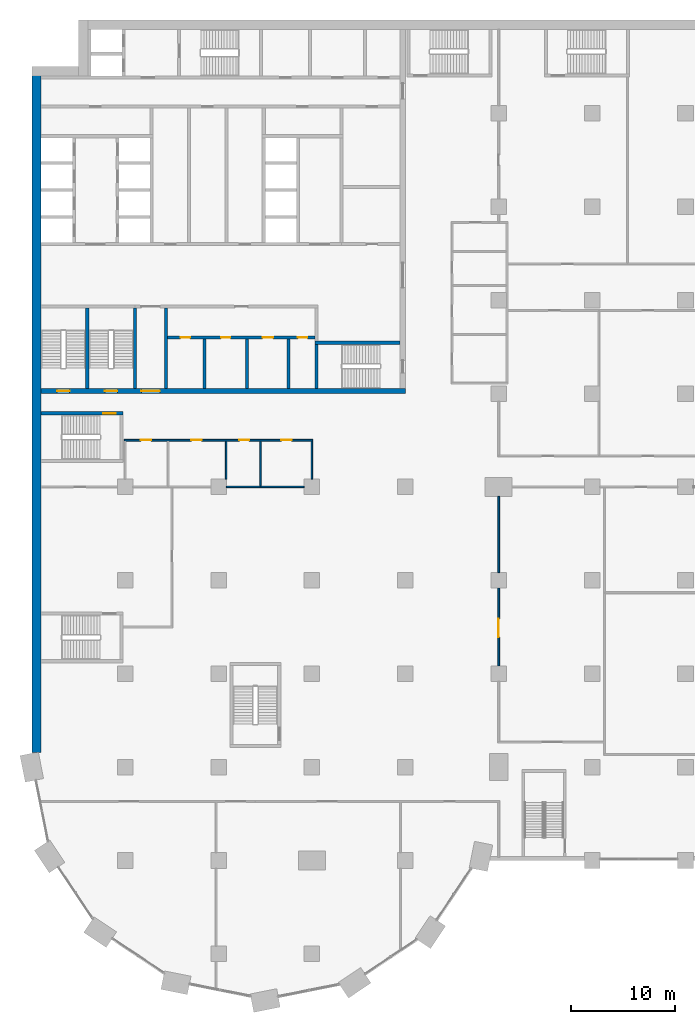
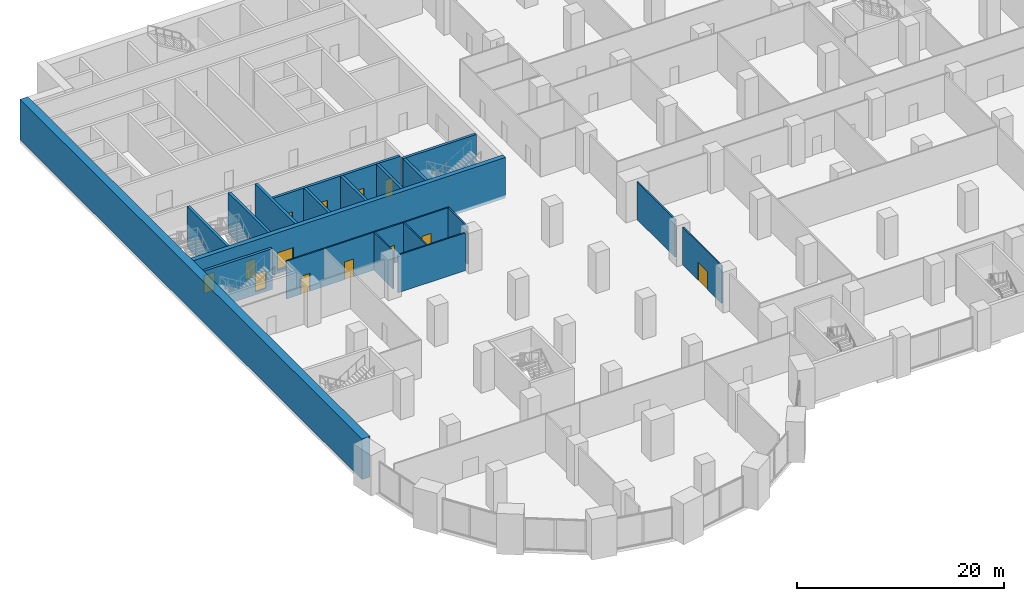
# One storey, part 13 of 31: 19 walls, 13 doors, 13 openings.
"""IFC4 building model written with IfcOpenShell, lengths in metres."""

from ifc_helpers import new_model, si_unit, direction, frame, frame_2d, origin, place, context, subcontext, project, spatial, rectangle, extrude, material, layer, layer_set, type_object, element, fill, save


model = new_model("IFC4")

# Units and contexts
model_context = context("Model", 3, precision=1e-05, world=origin(), true_north=direction((0.0, 1.0)))
body_context = subcontext(model_context, "Body", "Model", "MODEL_VIEW")
ifc_project = project(units=[si_unit("LENGTHUNIT", "METRE"), si_unit("AREAUNIT", "SQUARE_METRE"), si_unit("VOLUMEUNIT", "CUBIC_METRE"), si_unit("PLANEANGLEUNIT", "RADIAN"), si_unit("MASSUNIT", "GRAM", prefix="KILO")], contexts=[model_context])

# Site, building, storey
site_placement = place(None, origin())
site = spatial("IfcSite", under=ifc_project, at=site_placement, CompositionType="ELEMENT")
building_placement = place(site_placement, origin())
building = spatial("IfcBuilding", under=site, at=building_placement, Name="Hunhe Ridgeline Campus", CompositionType="ELEMENT")
storey_placement = place(building_placement, frame((0.0, 0.0, 16.800048828125)))
storey = spatial("IfcBuildingStorey", under=building, at=storey_placement, Name="L03", CompositionType="ELEMENT", Elevation=16.800048828125)

# Wall, opening, door
ifc_material_1 = material(Name="Plastered blockwork", Category="masonry")
ifc_layer_1 = layer(ifc_material_1, 0.14990234375)
ifc_layer_set_1 = layer_set([ifc_layer_1], Name="Blockwork partition 150")
wall_type_1 = type_object("IfcWallType", Name="Blockwork partition 150", PredefinedType="PARTITIONING", material=ifc_layer_set_1)
wall_1_placement = place(storey_placement, frame((45.0, 36.75, 0.0), z_axis=(0.0, 0.0, 1.0), x_axis=(0.0, 1.0, 0.0)))
wall_1 = element("IfcWall", 1, at=wall_1_placement, inside=storey, type_object=wall_type_1, Name="L03 partition", PredefinedType="PARTITIONING", context=body_context, shape_type="SweptSolid", body=[
    extrude(rectangle(XDim=7.5, YDim=0.14990234375, at=frame_2d((3.75, 0.0))), origin(), (0.0, 0.0, 1.0), 4.449951171875),
])
opening_1_placement = place(wall_1_placement, frame((2.75, 0.0, 0.0)))
opening_1 = element("IfcOpeningElement", 2, at=opening_1_placement, cuts=wall_1, Name="Opening PD410", PredefinedType="OPENING", context=body_context, shape_type="SweptSolid", body=[
    extrude(rectangle(XDim=1.800048828125, YDim=2.10009765625, at=frame_2d((0.89990234375, 1.050048828125))), frame((0.0, 0.074951171875, 0.0), z_axis=(0.0, -1.0, 0.0), x_axis=(1.0, 0.0, 0.0)), (0.0, 0.0, 1.0), 0.14990234375),
])
ifc_material_2 = material(Name="Timber", Category="wood")
door_type_1 = type_object("IfcDoorType", Name="Podium timber double door 1800x2100", OperationType="NOTDEFINED", PredefinedType="DOOR", material=ifc_material_2)
door_1_placement = place(opening_1_placement, origin())
door_1 = element("IfcDoor", 3, at=door_1_placement, inside=storey, type_object=door_type_1, Name="Silent Study Room door", OperationType="DOUBLE_DOOR_SINGLE_SWING", OverallHeight=2.10009765625, OverallWidth=1.800048828125, PredefinedType="DOOR", context=body_context, shape_type="SweptSolid", body=[
    extrude(rectangle(XDim=1.800048828125, YDim=2.10009765625, at=frame_2d((0.89990234375, 1.050048828125))), frame((0.0, 0.02490234375, 0.0), z_axis=(0.0, -1.0, 0.0), x_axis=(1.0, 0.0, 0.0)), (0.0, 0.0, 1.0), 0.050048828125),
])
fill(opening_1, door_1)

# Walls
wall_2_placement = place(storey_placement, frame((45.0, 45.75, 0.0), z_axis=(0.0, 0.0, 1.0), x_axis=(0.0, 1.0, 0.0)))
element("IfcWall", 4, at=wall_2_placement, inside=storey, type_object=wall_type_1, Name="L03 partition", PredefinedType="PARTITIONING", context=body_context, shape_type="SweptSolid", body=[
    extrude(rectangle(XDim=7.35009765625, YDim=0.14990234375, at=frame_2d((3.675048828125, 0.0))), origin(), (0.0, 0.0, 1.0), 4.449951171875),
])
wall_3_placement = place(storey_placement, frame((26.25, 54.0, 0.0), z_axis=(0.0, 0.0, 1.0), x_axis=(-1.0, 0.0, 0.0)))
element("IfcWall", 5, at=wall_3_placement, inside=storey, type_object=wall_type_1, Name="L03 partition", PredefinedType="PARTITIONING", context=body_context, shape_type="SweptSolid", body=[
    extrude(rectangle(XDim=7.5, YDim=0.14990234375, at=frame_2d((3.75, 0.0))), origin(), (0.0, 0.0, 1.0), 4.449951171875),
])

# Wall, openings, doors
wall_4_placement = place(storey_placement, frame((8.925048828125, 58.5, 0.0), z_axis=(0.0, 0.0, 1.0), x_axis=(1.0, 0.0, 0.0)))
wall_4 = element("IfcWall", 6, at=wall_4_placement, inside=storey, type_object=wall_type_1, Name="L03 partition", PredefinedType="PARTITIONING", context=body_context, shape_type="SweptSolid", body=[
    extrude(rectangle(XDim=18.14990234375, YDim=0.14990234375, at=frame_2d((9.074951171875, 0.0))), origin(), (0.0, 0.0, 1.0), 4.449951171875),
])
opening_2_placement = place(wall_4_placement, frame((1.574951171875, 0.0, 0.0)))
opening_2 = element("IfcOpeningElement", 7, at=opening_2_placement, cuts=wall_4, Name="Opening PD433", PredefinedType="OPENING", context=body_context, shape_type="SweptSolid", body=[
    extrude(rectangle(XDim=1.0, YDim=2.10009765625, at=frame_2d((0.5, 1.050048828125))), frame((0.0, 0.074951171875, 0.0), z_axis=(0.0, -1.0, 0.0), x_axis=(1.0, 0.0, 0.0)), (0.0, 0.0, 1.0), 0.14990234375),
])
opening_3_placement = place(wall_4_placement, frame((6.462890625, 0.0, 0.0)))
opening_3 = element("IfcOpeningElement", 8, at=opening_3_placement, cuts=wall_4, Name="Opening PD434", PredefinedType="OPENING", context=body_context, shape_type="SweptSolid", body=[
    extrude(rectangle(XDim=1.0, YDim=2.10009765625, at=frame_2d((0.5, 1.050048828125))), frame((0.0, 0.074951171875, 0.0), z_axis=(0.0, -1.0, 0.0), x_axis=(1.0, 0.0, 0.0)), (0.0, 0.0, 1.0), 0.14990234375),
])
opening_4_placement = place(wall_4_placement, frame((11.049072265625, 0.0, 0.0)))
opening_4 = element("IfcOpeningElement", 9, at=opening_4_placement, cuts=wall_4, Name="Opening PD435", PredefinedType="OPENING", context=body_context, shape_type="SweptSolid", body=[
    extrude(rectangle(XDim=1.0, YDim=2.10009765625, at=frame_2d((0.5, 1.050048828125))), frame((0.0, 0.074951171875, 0.0), z_axis=(0.0, -1.0, 0.0), x_axis=(1.0, 0.0, 0.0)), (0.0, 0.0, 1.0), 0.14990234375),
])
opening_5_placement = place(wall_4_placement, frame((15.10888671875, 0.0, 0.0)))
opening_5 = element("IfcOpeningElement", 10, at=opening_5_placement, cuts=wall_4, Name="Opening PD436", PredefinedType="OPENING", context=body_context, shape_type="SweptSolid", body=[
    extrude(rectangle(XDim=1.0, YDim=2.10009765625, at=frame_2d((0.5, 1.050048828125))), frame((0.0, 0.074951171875, 0.0), z_axis=(0.0, -1.0, 0.0), x_axis=(1.0, 0.0, 0.0)), (0.0, 0.0, 1.0), 0.14990234375),
])
door_type_2 = type_object("IfcDoorType", Name="Podium timber door 1000x2100", OperationType="NOTDEFINED", PredefinedType="DOOR", material=ifc_material_2)
door_2_placement = place(opening_2_placement, origin())
door_2 = element("IfcDoor", 11, at=door_2_placement, inside=storey, type_object=door_type_2, Name="Library Office door", OperationType="SINGLE_SWING_LEFT", OverallHeight=2.10009765625, OverallWidth=1.0, PredefinedType="DOOR", context=body_context, shape_type="SweptSolid", body=[
    extrude(rectangle(XDim=1.0, YDim=2.10009765625, at=frame_2d((0.5, 1.050048828125))), frame((0.0, 0.02490234375, 0.0), z_axis=(0.0, -1.0, 0.0), x_axis=(1.0, 0.0, 0.0)), (0.0, 0.0, 1.0), 0.050048828125),
])
fill(opening_2, door_2)
door_3_placement = place(opening_3_placement, origin())
door_3 = element("IfcDoor", 12, at=door_3_placement, inside=storey, type_object=door_type_2, Name="Library Office door", OperationType="SINGLE_SWING_LEFT", OverallHeight=2.10009765625, OverallWidth=1.0, PredefinedType="DOOR", context=body_context, shape_type="SweptSolid", body=[
    extrude(rectangle(XDim=1.0, YDim=2.10009765625, at=frame_2d((0.5, 1.050048828125))), frame((0.0, 0.02490234375, 0.0), z_axis=(0.0, -1.0, 0.0), x_axis=(1.0, 0.0, 0.0)), (0.0, 0.0, 1.0), 0.050048828125),
])
fill(opening_3, door_3)
door_4_placement = place(opening_4_placement, origin())
door_4 = element("IfcDoor", 13, at=door_4_placement, inside=storey, type_object=door_type_2, Name="Study Room door", OperationType="SINGLE_SWING_RIGHT", OverallHeight=2.10009765625, OverallWidth=1.0, PredefinedType="DOOR", context=body_context, shape_type="SweptSolid", body=[
    extrude(rectangle(XDim=1.0, YDim=2.10009765625, at=frame_2d((0.5, 1.050048828125))), frame((0.0, 0.02490234375, 0.0), z_axis=(0.0, -1.0, 0.0), x_axis=(1.0, 0.0, 0.0)), (0.0, 0.0, 1.0), 0.050048828125),
])
fill(opening_4, door_4)
door_5_placement = place(opening_5_placement, origin())
door_5 = element("IfcDoor", 14, at=door_5_placement, inside=storey, type_object=door_type_2, Name="Study Room door", OperationType="SINGLE_SWING_RIGHT", OverallHeight=2.10009765625, OverallWidth=1.0, PredefinedType="DOOR", context=body_context, shape_type="SweptSolid", body=[
    extrude(rectangle(XDim=1.0, YDim=2.10009765625, at=frame_2d((0.5, 1.050048828125))), frame((0.0, 0.02490234375, 0.0), z_axis=(0.0, -1.0, 0.0), x_axis=(1.0, 0.0, 0.0)), (0.0, 0.0, 1.0), 0.050048828125),
])
fill(opening_5, door_5)

# Walls
wall_5_placement = place(storey_placement, frame((18.72412109375, 54.75, 0.0), z_axis=(0.0, 0.0, 1.0), x_axis=(0.0, 1.0, 0.0)))
element("IfcWall", 15, at=wall_5_placement, inside=storey, type_object=wall_type_1, Name="L03 partition", PredefinedType="PARTITIONING", context=body_context, shape_type="SweptSolid", body=[
    extrude(rectangle(XDim=3.675048828125, YDim=0.14990234375, at=frame_2d((1.83740234375, 0.0))), origin(), (0.0, 0.0, 1.0), 4.449951171875),
])
wall_6_placement = place(storey_placement, frame((22.033935546875, 54.074951171875, 0.0), z_axis=(0.0, 0.0, 1.0), x_axis=(0.0, 1.0, 0.0)))
element("IfcWall", 16, at=wall_6_placement, inside=storey, type_object=wall_type_1, Name="L03 partition", PredefinedType="PARTITIONING", context=body_context, shape_type="SweptSolid", body=[
    extrude(rectangle(XDim=4.35009765625, YDim=0.14990234375, at=frame_2d((2.175048828125, 0.0))), origin(), (0.0, 0.0, 1.0), 4.449951171875),
])
wall_7_placement = place(storey_placement, frame((27.0, 58.425048828125, 0.0), z_axis=(0.0, 0.0, 1.0), x_axis=(0.0, -1.0, 0.0)))
element("IfcWall", 17, at=wall_7_placement, inside=storey, type_object=wall_type_1, Name="L03 partition", PredefinedType="PARTITIONING", context=body_context, shape_type="SweptSolid", body=[
    extrude(rectangle(XDim=3.675048828125, YDim=0.14990234375, at=frame_2d((1.83740234375, 0.0))), origin(), (0.0, 0.0, 1.0), 4.449951171875),
])

# Wall, openings, doors
ifc_material_3 = material(Name="Masonry concrete blockwork", Category="masonry")
ifc_layer_2 = layer(ifc_material_3, 0.300048828125)
ifc_layer_set_2 = layer_set([ifc_layer_2], Name="Core room partition 300 concrete block")
wall_type_2 = type_object("IfcWallType", Name="Core room partition 300 concrete block", PredefinedType="PARTITIONING", material=ifc_layer_set_2)
wall_8_placement = place(storey_placement, frame((13.10009765625, 68.39990234375, 0.0), z_axis=(0.0, 0.0, 1.0), x_axis=(1.0, 0.0, 0.0)))
wall_8 = element("IfcWall", 18, at=wall_8_placement, inside=storey, type_object=wall_type_2, Name="L03 core partition 10", PredefinedType="PARTITIONING", context=body_context, shape_type="SweptSolid", body=[
    extrude(rectangle(XDim=14.199951171875, YDim=0.300048828125, at=frame_2d((7.10009765625, 0.0))), origin(), (0.0, 0.0, 1.0), 4.449951171875),
])
opening_6_placement = place(wall_8_placement, frame((1.25, 0.0, 0.0)))
opening_6 = element("IfcOpeningElement", 19, at=opening_6_placement, cuts=wall_8, Name="Opening CD8", PredefinedType="OPENING", context=body_context, shape_type="SweptSolid", body=[
    extrude(rectangle(XDim=0.89990234375, YDim=2.10009765625, at=frame_2d((0.449951171875, 1.050048828125))), frame((0.0, 0.14990234375, 0.0), z_axis=(0.0, -1.0, 0.0), x_axis=(1.0, 0.0, 0.0)), (0.0, 0.0, 1.0), 0.300048828125),
])
opening_7_placement = place(wall_8_placement, frame((5.14990234375, 0.0, 0.0)))
opening_7 = element("IfcOpeningElement", 20, at=opening_7_placement, cuts=wall_8, Name="Opening CD9", PredefinedType="OPENING", context=body_context, shape_type="SweptSolid", body=[
    extrude(rectangle(XDim=0.89990234375, YDim=2.10009765625, at=frame_2d((0.449951171875, 1.050048828125))), frame((0.0, 0.14990234375, 0.0), z_axis=(0.0, -1.0, 0.0), x_axis=(1.0, 0.0, 0.0)), (0.0, 0.0, 1.0), 0.300048828125),
])
opening_8_placement = place(wall_8_placement, frame((9.14990234375, 0.0, 0.0)))
opening_8 = element("IfcOpeningElement", 21, at=opening_8_placement, cuts=wall_8, Name="Opening CD10", PredefinedType="OPENING", context=body_context, shape_type="SweptSolid", body=[
    extrude(rectangle(XDim=1.0, YDim=2.10009765625, at=frame_2d((0.5, 1.050048828125))), frame((0.0, 0.14990234375, 0.0), z_axis=(0.0, -1.0, 0.0), x_axis=(1.0, 0.0, 0.0)), (0.0, 0.0, 1.0), 0.300048828125),
])
opening_9_placement = place(wall_8_placement, frame((12.550048828125, 0.0, 0.0)))
opening_9 = element("IfcOpeningElement", 22, at=opening_9_placement, cuts=wall_8, Name="Opening CD11", PredefinedType="OPENING", context=body_context, shape_type="SweptSolid", body=[
    extrude(rectangle(XDim=0.89990234375, YDim=2.10009765625, at=frame_2d((0.449951171875, 1.050048828125))), frame((0.0, 0.14990234375, 0.0), z_axis=(0.0, -1.0, 0.0), x_axis=(1.0, 0.0, 0.0)), (0.0, 0.0, 1.0), 0.300048828125),
])
ifc_material_4 = material(Name="Solid core timber door leaf", Category="wood")
door_type_3 = type_object("IfcDoorType", Name="Timber door 1000x2100", OperationType="SINGLE_SWING_LEFT", PredefinedType="DOOR", material=ifc_material_4)
door_6_placement = place(opening_8_placement, frame((1.0, 0.0, 0.0), z_axis=(0.0, 0.0, 1.0), x_axis=(-1.0, 0.0, 0.0)))
door_6 = element("IfcDoor", 23, at=door_6_placement, inside=storey, type_object=door_type_3, Name="L03 door WC3", OperationType="SINGLE_SWING_RIGHT", OverallHeight=2.10009765625, OverallWidth=1.0, PredefinedType="DOOR", context=body_context, shape_type="SweptSolid", body=[
    extrude(rectangle(XDim=1.0, YDim=2.10009765625, at=frame_2d((0.5, 1.050048828125))), frame((0.0, 0.02490234375, 0.0), z_axis=(0.0, -1.0, 0.0), x_axis=(1.0, 0.0, 0.0)), (0.0, 0.0, 1.0), 0.050048828125),
])
fill(opening_8, door_6)
door_type_4 = type_object("IfcDoorType", Name="Timber door 900x2100", OperationType="SINGLE_SWING_LEFT", PredefinedType="DOOR", material=ifc_material_4)
door_7_placement = place(opening_6_placement, frame((0.89990234375, 0.0, 0.0), z_axis=(0.0, 0.0, 1.0), x_axis=(-1.0, 0.0, 0.0)))
door_7 = element("IfcDoor", 24, at=door_7_placement, inside=storey, type_object=door_type_4, Name="L03 door WC1", OperationType="SINGLE_SWING_RIGHT", OverallHeight=2.10009765625, OverallWidth=0.89990234375, PredefinedType="DOOR", context=body_context, shape_type="SweptSolid", body=[
    extrude(rectangle(XDim=0.89990234375, YDim=2.10009765625, at=frame_2d((0.449951171875, 1.050048828125))), frame((0.0, 0.02490234375, 0.0), z_axis=(0.0, -1.0, 0.0), x_axis=(1.0, 0.0, 0.0)), (0.0, 0.0, 1.0), 0.050048828125),
])
fill(opening_6, door_7)
door_8_placement = place(opening_7_placement, frame((0.89990234375, 0.0, 0.0), z_axis=(0.0, 0.0, 1.0), x_axis=(-1.0, 0.0, 0.0)))
door_8 = element("IfcDoor", 25, at=door_8_placement, inside=storey, type_object=door_type_4, Name="L03 door WC2", OperationType="SINGLE_SWING_LEFT", OverallHeight=2.10009765625, OverallWidth=0.89990234375, PredefinedType="DOOR", context=body_context, shape_type="SweptSolid", body=[
    extrude(rectangle(XDim=0.89990234375, YDim=2.10009765625, at=frame_2d((0.449951171875, 1.050048828125))), frame((0.0, 0.02490234375, 0.0), z_axis=(0.0, -1.0, 0.0), x_axis=(1.0, 0.0, 0.0)), (0.0, 0.0, 1.0), 0.050048828125),
])
fill(opening_7, door_8)
door_9_placement = place(opening_9_placement, frame((0.89990234375, 0.0, 0.0), z_axis=(0.0, 0.0, 1.0), x_axis=(-1.0, 0.0, 0.0)))
door_9 = element("IfcDoor", 26, at=door_9_placement, inside=storey, type_object=door_type_4, Name="L03 door WC4", OperationType="SINGLE_SWING_LEFT", OverallHeight=2.10009765625, OverallWidth=0.89990234375, PredefinedType="DOOR", context=body_context, shape_type="SweptSolid", body=[
    extrude(rectangle(XDim=0.89990234375, YDim=2.10009765625, at=frame_2d((0.449951171875, 1.050048828125))), frame((0.0, 0.02490234375, 0.0), z_axis=(0.0, -1.0, 0.0), x_axis=(1.0, 0.0, 0.0)), (0.0, 0.0, 1.0), 0.050048828125),
])
fill(opening_9, door_9)

# Walls
wall_9_placement = place(storey_placement, frame((12.949951171875, 63.5, 0.0), z_axis=(0.0, 0.0, 1.0), x_axis=(0.0, 1.0, 0.0)))
element("IfcWall", 27, at=wall_9_placement, inside=storey, type_object=wall_type_2, Name="L03 core partition 45", PredefinedType="PARTITIONING", context=body_context, shape_type="SweptSolid", body=[
    extrude(rectangle(XDim=7.75, YDim=0.300048828125, at=frame_2d((3.875, 0.0))), origin(), (0.0, 0.0, 1.0), 4.449951171875),
])
for number, where, z_axis, x_axis, name in (
    (28, (16.64990234375, 63.5, 0.0), (0.0, 0.0, 1.0), (0.0, 1.0, 0.0), "L03 core partition 48"),
    (29, (20.75, 63.5, 0.0), (0.0, 0.0, 1.0), (0.0, 1.0, 0.0), "L03 core partition 51"),
    (30, (24.75, 63.5, 0.0), (0.0, 0.0, 1.0), (0.0, 1.0, 0.0), "L03 core partition 56"),
):
    element("IfcWall", number, at=place(storey_placement, frame(where, z_axis=z_axis, x_axis=x_axis)), inside=storey, type_object=wall_type_2, Name=name, PredefinedType="PARTITIONING", context=body_context, shape_type="SweptSolid", body=[
        extrude(rectangle(XDim=4.75, YDim=0.300048828125, at=frame_2d((2.375, 0.0))), origin(), (0.0, 0.0, 1.0), 4.449951171875),
    ])

# Wall, openings, doors
ifc_material_5 = material(Name="Concrete C80", Category="concrete")
ifc_layer_3 = layer(ifc_material_5, 0.5)
ifc_layer_set_3 = layer_set([ifc_layer_3], Name="Core wall 500 reinforced concrete C80")
wall_type_3 = type_object("IfcWallType", Name="Core wall 500 reinforced concrete C80", PredefinedType="SOLIDWALL", material=ifc_layer_set_3)
wall_10_placement = place(storey_placement, frame((0.89990234375, 63.25, -0.35009765625), z_axis=(0.0, 0.0, 1.0), x_axis=(1.0, 0.0, 0.0)))
wall_10 = element("IfcWall", 31, at=wall_10_placement, inside=storey, type_object=wall_type_3, Name="L03 core wall 7", PredefinedType="SOLIDWALL", context=body_context, shape_type="SweptSolid", body=[
    extrude(rectangle(XDim=35.10009765625, YDim=0.5, at=frame_2d((17.550048828125, 0.0))), origin(), (0.0, 0.0, 1.0), 4.800048828125),
])
opening_10_placement = place(wall_10_placement, frame((9.64990234375, 0.0, 0.35009765625)))
opening_10 = element("IfcOpeningElement", 32, at=opening_10_placement, cuts=wall_10, Name="Opening CD6", PredefinedType="OPENING", context=body_context, shape_type="SweptSolid", body=[
    extrude(rectangle(XDim=1.800048828125, YDim=2.10009765625, at=frame_2d((0.89990234375, 1.050048828125))), frame((0.0, 0.25, 0.0), z_axis=(0.0, -1.0, 0.0), x_axis=(1.0, 0.0, 0.0)), (0.0, 0.0, 1.0), 0.5),
])
opening_11_placement = place(wall_10_placement, frame((1.550048828125, 0.0, 0.35009765625)))
opening_11 = element("IfcOpeningElement", 33, at=opening_11_placement, cuts=wall_10, Name="Opening CD13", PredefinedType="OPENING", context=body_context, shape_type="SweptSolid", body=[
    extrude(rectangle(XDim=1.199951171875, YDim=2.10009765625, at=frame_2d((0.60009765625, 1.050048828125))), frame((0.0, 0.25, 0.0), z_axis=(0.0, -1.0, 0.0), x_axis=(1.0, 0.0, 0.0)), (0.0, 0.0, 1.0), 0.5),
])
opening_12_placement = place(wall_10_placement, frame((6.14990234375, 0.0, 0.35009765625)))
opening_12 = element("IfcOpeningElement", 34, at=opening_12_placement, cuts=wall_10, Name="Opening CD14", PredefinedType="OPENING", context=body_context, shape_type="SweptSolid", body=[
    extrude(rectangle(XDim=1.199951171875, YDim=2.10009765625, at=frame_2d((0.60009765625, 1.050048828125))), frame((0.0, 0.25, 0.0), z_axis=(0.0, -1.0, 0.0), x_axis=(1.0, 0.0, 0.0)), (0.0, 0.0, 1.0), 0.5),
])
ifc_material_6 = material(Name="Anodised aluminium and glass", Category="aluminium")
door_type_5 = type_object("IfcDoorType", Name="Glazed double door 1800x2100", OperationType="DOUBLE_DOOR_SINGLE_SWING", PredefinedType="DOOR", material=ifc_material_6)
door_10_placement = place(opening_10_placement, frame((1.800048828125, 0.0, 0.0), z_axis=(0.0, 0.0, 1.0), x_axis=(-1.0, 0.0, 0.0)))
door_10 = element("IfcDoor", 35, at=door_10_placement, inside=storey, type_object=door_type_5, Name="L03 door VEST-FLOOR", OperationType="DOUBLE_DOOR_SINGLE_SWING", OverallHeight=2.10009765625, OverallWidth=1.800048828125, PredefinedType="DOOR", context=body_context, shape_type="SweptSolid", body=[
    extrude(rectangle(XDim=1.800048828125, YDim=2.10009765625, at=frame_2d((0.89990234375, 1.050048828125))), frame((0.0, 0.02490234375, 0.0), z_axis=(0.0, -1.0, 0.0), x_axis=(1.0, 0.0, 0.0)), (0.0, 0.0, 1.0), 0.050048828125),
])
fill(opening_10, door_10)
ifc_material_7 = material(Name="Hollow metal fire door leaf")
door_type_6 = type_object("IfcDoorType", Name="Stair door 1200x2100 FD60", OperationType="SINGLE_SWING_LEFT", PredefinedType="DOOR", material=ifc_material_7)
door_11_placement = place(opening_11_placement, frame((1.199951171875, 0.0, 0.0), z_axis=(0.0, 0.0, 1.0), x_axis=(-1.0, 0.0, 0.0)))
door_11 = element("IfcDoor", 36, at=door_11_placement, inside=storey, type_object=door_type_6, Name="L03 door S3", OperationType="SINGLE_SWING_RIGHT", OverallHeight=2.10009765625, OverallWidth=1.199951171875, PredefinedType="DOOR", context=body_context, shape_type="SweptSolid", body=[
    extrude(rectangle(XDim=1.199951171875, YDim=2.10009765625, at=frame_2d((0.60009765625, 1.050048828125))), frame((0.0, 0.02490234375, 0.0), z_axis=(0.0, -1.0, 0.0), x_axis=(1.0, 0.0, 0.0)), (0.0, 0.0, 1.0), 0.050048828125),
])
fill(opening_11, door_11)
door_12_placement = place(opening_12_placement, frame((1.199951171875, 0.0, 0.0), z_axis=(0.0, 0.0, 1.0), x_axis=(-1.0, 0.0, 0.0)))
door_12 = element("IfcDoor", 37, at=door_12_placement, inside=storey, type_object=door_type_6, Name="L03 door S4", OperationType="SINGLE_SWING_LEFT", OverallHeight=2.10009765625, OverallWidth=1.199951171875, PredefinedType="DOOR", context=body_context, shape_type="SweptSolid", body=[
    extrude(rectangle(XDim=1.199951171875, YDim=2.10009765625, at=frame_2d((0.60009765625, 1.050048828125))), frame((0.0, 0.02490234375, 0.0), z_axis=(0.0, -1.0, 0.0), x_axis=(1.0, 0.0, 0.0)), (0.0, 0.0, 1.0), 0.050048828125),
])
fill(opening_12, door_12)

# Wall
ifc_layer_4 = layer(ifc_material_5, 0.89990234375)
ifc_layer_set_4 = layer_set([ifc_layer_4], Name="Spine wall 900 Concrete C80")
wall_type_4 = type_object("IfcWallType", Name="Spine wall 900 Concrete C80", PredefinedType="SHEAR", material=ifc_layer_set_4)
wall_11_placement = place(storey_placement, frame((0.449951171875, 94.5, 0.0), z_axis=(0.0, 0.0, 1.0), x_axis=(0.0, -1.0, 0.0)))
element("IfcWall", 38, at=wall_11_placement, inside=storey, type_object=wall_type_4, Name="Spine wall SW1-1 L03", PredefinedType="SHEAR", context=body_context, shape_type="SweptSolid", body=[
    extrude(rectangle(XDim=66.0849609375, YDim=0.89990234375, at=frame_2d((33.04248046875, 0.0))), origin(), (0.0, 0.0, 1.0), 4.800048828125),
])

# Wall, opening, door
ifc_layer_5 = layer(ifc_material_5, 0.300048828125)
ifc_layer_set_5 = layer_set([ifc_layer_5], Name="Stair wall 300 reinforced concrete C80")
wall_type_5 = type_object("IfcWallType", Name="Stair wall 300 reinforced concrete C80", PredefinedType="SOLIDWALL", material=ifc_layer_set_5)
wall_12_placement = place(storey_placement, frame((0.89990234375, 61.10009765625, -0.35009765625), z_axis=(0.0, 0.0, 1.0), x_axis=(1.0, 0.0, 0.0)))
wall_12 = element("IfcWall", 39, at=wall_12_placement, inside=storey, type_object=wall_type_5, Name="L03 core wall 6", PredefinedType="SOLIDWALL", context=body_context, shape_type="SweptSolid", body=[
    extrude(rectangle(XDim=7.900146484375, YDim=0.300048828125, at=frame_2d((3.9501953125, 0.0))), origin(), (0.0, 0.0, 1.0), 4.800048828125),
])
opening_13_placement = place(wall_12_placement, frame((6.0, 0.0, 0.35009765625)))
opening_13 = element("IfcOpeningElement", 40, at=opening_13_placement, cuts=wall_12, Name="Opening CD22", PredefinedType="OPENING", context=body_context, shape_type="SweptSolid", body=[
    extrude(rectangle(XDim=1.199951171875, YDim=2.10009765625, at=frame_2d((0.60009765625, 1.050048828125))), frame((0.0, 0.14990234375, 0.0), z_axis=(0.0, -1.0, 0.0), x_axis=(1.0, 0.0, 0.0)), (0.0, 0.0, 1.0), 0.300048828125),
])
door_13_placement = place(opening_13_placement, origin())
door_13 = element("IfcDoor", 41, at=door_13_placement, inside=storey, type_object=door_type_6, Name="L03 door W2", OperationType="SINGLE_SWING_RIGHT", OverallHeight=2.10009765625, OverallWidth=1.199951171875, PredefinedType="DOOR", context=body_context, shape_type="SweptSolid", body=[
    extrude(rectangle(XDim=1.199951171875, YDim=2.10009765625, at=frame_2d((0.60009765625, 1.050048828125))), frame((0.0, 0.02490234375, 0.0), z_axis=(0.0, -1.0, 0.0), x_axis=(1.0, 0.0, 0.0)), (0.0, 0.0, 1.0), 0.050048828125),
])
fill(opening_13, door_13)

# Walls
wall_13_placement = place(storey_placement, frame((27.300048828125, 67.89990234375, -0.35009765625), z_axis=(0.0, 0.0, 1.0), x_axis=(1.0, 0.0, 0.0)))
element("IfcWall", 42, at=wall_13_placement, inside=storey, type_object=wall_type_5, Name="L03 core wall 9", PredefinedType="SOLIDWALL", context=body_context, shape_type="SweptSolid", body=[
    extrude(rectangle(XDim=8.199951171875, YDim=0.300048828125, at=frame_2d((4.10009765625, 0.0))), origin(), (0.0, 0.0, 1.0), 4.800048828125),
])
for number, where, z_axis, x_axis, name in (
    (43, (5.35009765625, 63.5, -0.35009765625), (0.0, 0.0, 1.0), (0.0, 1.0, 0.0), "L03 core wall 36"),
    (44, (9.949951171875, 63.5, -0.35009765625), (0.0, 0.0, 1.0), (0.0, 1.0, 0.0), "L03 core wall 42"),
):
    element("IfcWall", number, at=place(storey_placement, frame(where, z_axis=z_axis, x_axis=x_axis)), inside=storey, type_object=wall_type_5, Name=name, PredefinedType="SOLIDWALL", context=body_context, shape_type="SweptSolid", body=[
        extrude(rectangle(XDim=7.75, YDim=0.300048828125, at=frame_2d((3.875, 0.0))), origin(), (0.0, 0.0, 1.0), 4.800048828125),
    ])
wall_14_placement = place(storey_placement, frame((27.449951171875, 63.5, -0.35009765625), z_axis=(0.0, 0.0, 1.0), x_axis=(0.0, 1.0, 0.0)))
element("IfcWall", 45, at=wall_14_placement, inside=storey, type_object=wall_type_5, Name="L03 core wall 59", PredefinedType="SOLIDWALL", context=body_context, shape_type="SweptSolid", body=[
    extrude(rectangle(XDim=4.25, YDim=0.300048828125, at=frame_2d((2.125, 0.0))), origin(), (0.0, 0.0, 1.0), 4.800048828125),
])

save(model, "model.ifc")
